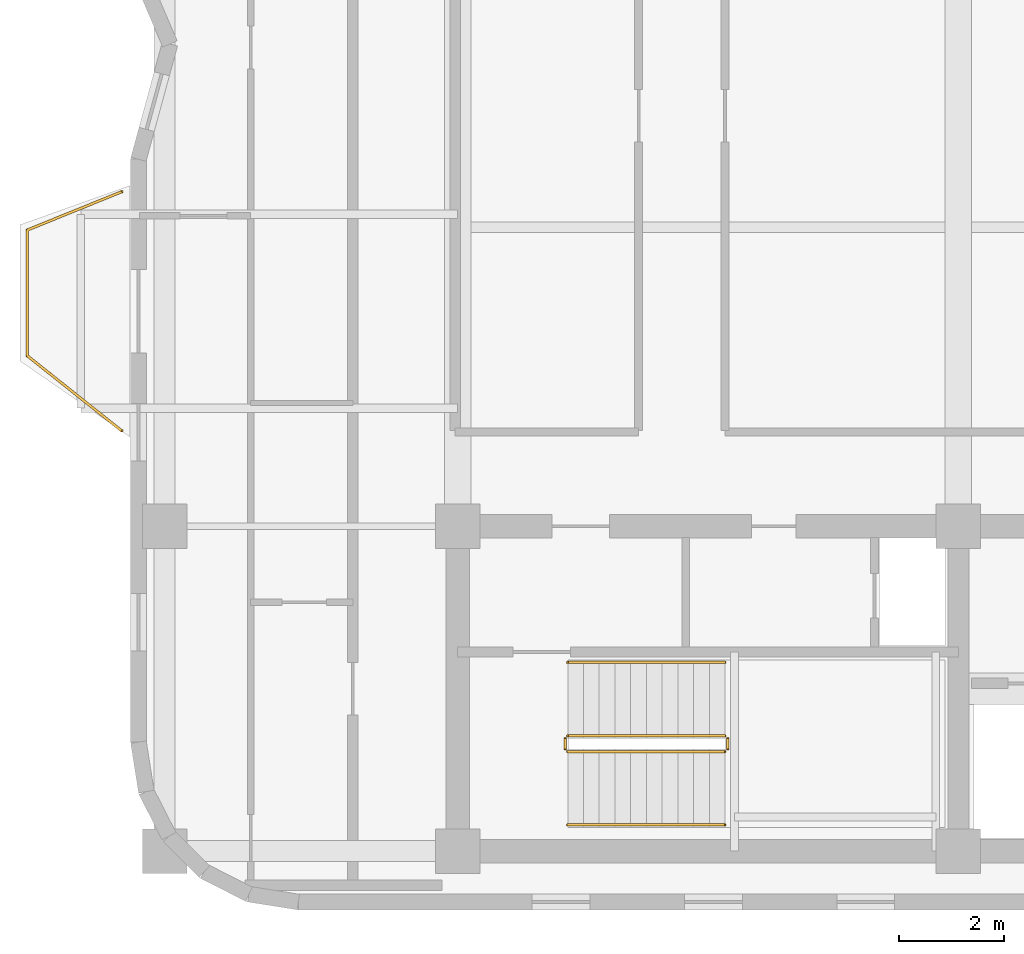
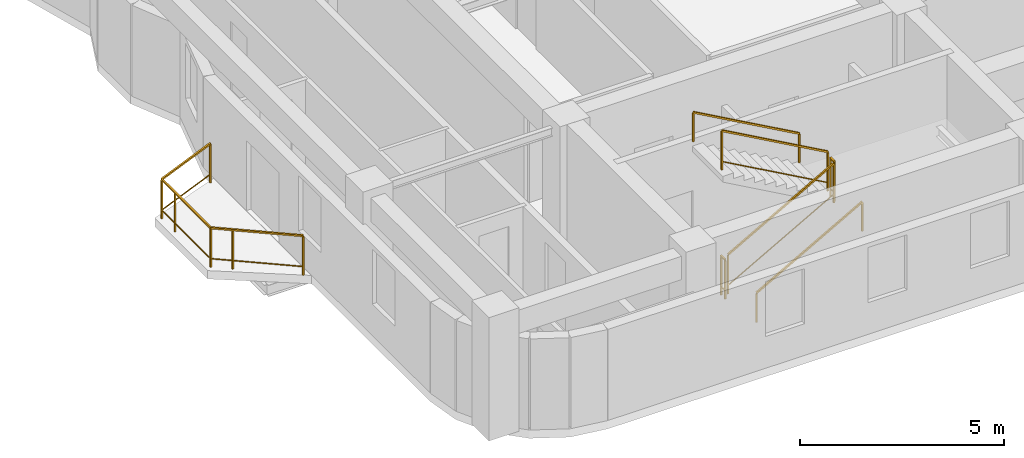
# One storey, part 7 of 8: 7 railings.
"""IFC4 building model written with IfcOpenShell, lengths in metres."""

from ifc_helpers import new_model, si_unit, direction, frame, origin, origin_2d, place, context, subcontext, project, spatial, rectangle, extrude, material, type_object, element, save


model = new_model("IFC4")

# Units and contexts
model_context = context("Model", 3, precision=1e-05, world=origin(), true_north=direction((0.0, 1.0)))
body_context = subcontext(model_context, "Body", "Model", "MODEL_VIEW")
ifc_project = project(units=[si_unit("LENGTHUNIT", "METRE"), si_unit("AREAUNIT", "SQUARE_METRE"), si_unit("VOLUMEUNIT", "CUBIC_METRE"), si_unit("PLANEANGLEUNIT", "RADIAN"), si_unit("MASSUNIT", "GRAM", prefix="KILO")], contexts=[model_context])

# Site, building, storey
site_placement = place(None, origin())
site = spatial("IfcSite", under=ifc_project, at=site_placement, CompositionType="ELEMENT")
building_placement = place(site_placement, origin())
building = spatial("IfcBuilding", under=site, at=building_placement, Name="Svetorya Sky Lyceum", CompositionType="ELEMENT")
storey_placement = place(building_placement, frame((0.0, 0.0, 251.699951171875)))
storey = spatial("IfcBuildingStorey", under=building, at=storey_placement, Name="L63", CompositionType="ELEMENT", Elevation=251.699951171875)

# Railings
ifc_material_1 = material(Name="Laminated safety glass and stainless AISI 316", Category="glass")
railing_type_1 = type_object("IfcRailingType", Name="RL-BAL-1200", PredefinedType="BALUSTRADE", material=ifc_material_1)
railing_1_placement = place(storey_placement, frame((19.18994140625, 18.6201171875, 0.0)))
element("IfcRailing", 1, at=railing_1_placement, inside=storey, type_object=railing_type_1, Name="L63 Balcony Balustrade BAL-W1", PredefinedType="BALUSTRADE", context=body_context, shape_type="SweptSolid", body=[
    extrude(rectangle(XDim=0.048095703125, YDim=0.048095703125, at=origin_2d()), frame((0.0, 0.0, 1.17578125), z_axis=(-0.783008919264, 0.622010476079, 0.0), x_axis=(-0.622010476079, -0.783008919264, 0.0)), (0.0, 0.0, 1.0), 2.298828125),
    extrude(rectangle(XDim=0.02392578125, YDim=0.02392578125, at=origin_2d()), frame((0.0, 0.0, 0.25), z_axis=(-0.783008919264, 0.622010476079, 0.0), x_axis=(-0.622010476079, -0.783008919264, 0.0)), (0.0, 0.0, 1.0), 2.298828125),
    extrude(rectangle(XDim=0.048095703125, YDim=0.048095703125, at=origin_2d()), frame((-1.800048828125, 1.429931640625, 1.17578125), z_axis=(0.0, 1.0, 0.0), x_axis=(-1.0, 0.0, 0.0)), (0.0, 0.0, 1.0), 2.39990234375),
    extrude(rectangle(XDim=0.02392578125, YDim=0.02392578125, at=origin_2d()), frame((-1.800048828125, 1.429931640625, 0.25), z_axis=(0.0, 1.0, 0.0), x_axis=(-1.0, 0.0, 0.0)), (0.0, 0.0, 1.0), 2.39990234375),
    extrude(rectangle(XDim=0.048095703125, YDim=0.048095703125, at=origin_2d()), frame((-1.800048828125, 3.829833984375, 1.17578125), z_axis=(0.926697865975, 0.375807218129, 0.0), x_axis=(-0.375807218129, 0.926697865975, 0.0)), (0.0, 0.0, 1.0), 1.9423828125),
    extrude(rectangle(XDim=0.02392578125, YDim=0.02392578125, at=origin_2d()), frame((-1.800048828125, 3.829833984375, 0.25), z_axis=(0.926697865975, 0.375807218129, 0.0), x_axis=(-0.375807218129, 0.926697865975, 0.0)), (0.0, 0.0, 1.0), 1.9423828125),
    extrude(rectangle(XDim=0.0419921875, YDim=0.0419921875, at=origin_2d()), origin(), (0.0, 0.0, 1.0), 1.15185546875),
    extrude(rectangle(XDim=0.0419921875, YDim=0.0419921875, at=origin_2d()), frame((-1.370361328125, 1.088623046875, 0.0)), (0.0, 0.0, 1.0), 1.15185546875),
    extrude(rectangle(XDim=0.0419921875, YDim=0.0419921875, at=origin_2d()), frame((-1.800048828125, 1.429931640625, 0.0)), (0.0, 0.0, 1.0), 1.15185546875),
    extrude(rectangle(XDim=0.0419921875, YDim=0.0419921875, at=origin_2d()), frame((-1.800048828125, 3.179931640625, 0.0)), (0.0, 0.0, 1.0), 1.15185546875),
    extrude(rectangle(XDim=0.0419921875, YDim=0.0419921875, at=origin_2d()), frame((-1.800048828125, 3.829833984375, 0.0)), (0.0, 0.0, 1.0), 1.15185546875),
    extrude(rectangle(XDim=0.0419921875, YDim=0.0419921875, at=origin_2d()), frame((0.0, 4.559814453125, 0.0)), (0.0, 0.0, 1.0), 1.15185546875),
])
ifc_material_2 = material(Name="Painted galvanized stair well guard")
railing_type_2 = type_object("IfcRailingType", Name="RL-STR-GUARD-1200", PredefinedType="GUARDRAIL", material=ifc_material_2)
railing_2_placement = place(storey_placement, frame((27.699951171875, 12.5, 0.168212890625)))
element("IfcRailing", 2, at=railing_2_placement, inside=storey, type_object=railing_type_2, Name="L63 ST-S stair guard 1", PredefinedType="GUARDRAIL", context=body_context, shape_type="SweptSolid", body=[
    extrude(rectangle(XDim=0.048095703125, YDim=0.048095703125, at=origin_2d()), frame((0.0, 0.0, 1.17578125), z_axis=(0.872272294576, 0.0, 0.489020494575), x_axis=(0.0, 1.0, 0.0)), (0.0, 0.0, 1.0), 3.439208984375),
    extrude(rectangle(XDim=0.02392578125, YDim=0.02392578125, at=origin_2d()), frame((0.0, 0.0, 0.25), z_axis=(0.872272294576, 0.0, 0.489020494575), x_axis=(0.0, 1.0, 0.0)), (0.0, 0.0, 1.0), 3.439208984375),
    extrude(rectangle(XDim=0.0419921875, YDim=0.0419921875, at=origin_2d()), origin(), (0.0, 0.0, 1.0), 1.15185546875),
    extrude(rectangle(XDim=0.0419921875, YDim=0.0419921875, at=origin_2d()), frame((3.0, 0.0, 1.681884765625)), (0.0, 0.0, 1.0), 1.15185546875),
])
railing_3_placement = place(storey_placement, frame((30.75, 12.550048828125, 1.85009765625)))
element("IfcRailing", 3, at=railing_3_placement, inside=storey, type_object=railing_type_2, Name="L63 ST-S stair guard 2", PredefinedType="GUARDRAIL", context=body_context, shape_type="SweptSolid", body=[
    extrude(rectangle(XDim=0.048095703125, YDim=0.048095703125, at=origin_2d()), frame((0.0, 0.0, 1.17578125), z_axis=(0.0, 1.0, 0.0), x_axis=(-1.0, 0.0, 0.0)), (0.0, 0.0, 1.0), 0.199951171875),
    extrude(rectangle(XDim=0.02392578125, YDim=0.02392578125, at=origin_2d()), frame((0.0, 0.0, 0.25), z_axis=(0.0, 1.0, 0.0), x_axis=(-1.0, 0.0, 0.0)), (0.0, 0.0, 1.0), 0.199951171875),
    extrude(rectangle(XDim=0.0419921875, YDim=0.0419921875, at=origin_2d()), origin(), (0.0, 0.0, 1.0), 1.15185546875),
    extrude(rectangle(XDim=0.0419921875, YDim=0.0419921875, at=origin_2d()), frame((0.0, 0.199951171875, 0.0)), (0.0, 0.0, 1.0), 1.15185546875),
])
railing_4_placement = place(storey_placement, frame((30.699951171875, 12.800048828125, 2.018310546875)))
element("IfcRailing", 4, at=railing_4_placement, inside=storey, type_object=railing_type_2, Name="L63 ST-S stair guard 3", PredefinedType="GUARDRAIL", context=body_context, shape_type="SweptSolid", body=[
    extrude(rectangle(XDim=0.048095703125, YDim=0.048095703125, at=origin_2d()), frame((0.0, 0.0, 1.17578125), z_axis=(-0.872302573547, 0.0, 0.488966481656), x_axis=(0.0, -1.0, 0.0)), (0.0, 0.0, 1.0), 3.439208984375),
    extrude(rectangle(XDim=0.02392578125, YDim=0.02392578125, at=origin_2d()), frame((0.0, 0.0, 0.25), z_axis=(-0.872302573547, 0.0, 0.488966481656), x_axis=(0.0, -1.0, 0.0)), (0.0, 0.0, 1.0), 3.439208984375),
    extrude(rectangle(XDim=0.0419921875, YDim=0.0419921875, at=origin_2d()), origin(), (0.0, 0.0, 1.0), 1.15185546875),
    extrude(rectangle(XDim=0.0419921875, YDim=0.0419921875, at=origin_2d()), frame((-3.0, 0.0, 1.681640625)), (0.0, 0.0, 1.0), 1.15185546875),
])
railing_5_placement = place(storey_placement, frame((27.64990234375, 12.550048828125, 0.0)))
element("IfcRailing", 5, at=railing_5_placement, inside=storey, type_object=railing_type_2, Name="L63 ST-S stair guard 4", PredefinedType="GUARDRAIL", context=body_context, shape_type="SweptSolid", body=[
    extrude(rectangle(XDim=0.048095703125, YDim=0.048095703125, at=origin_2d()), frame((0.0, 0.0, 1.17578125), z_axis=(0.0, 1.0, 0.0), x_axis=(-1.0, 0.0, 0.0)), (0.0, 0.0, 1.0), 0.199951171875),
    extrude(rectangle(XDim=0.02392578125, YDim=0.02392578125, at=origin_2d()), frame((0.0, 0.0, 0.25), z_axis=(0.0, 1.0, 0.0), x_axis=(-1.0, 0.0, 0.0)), (0.0, 0.0, 1.0), 0.199951171875),
    extrude(rectangle(XDim=0.0419921875, YDim=0.0419921875, at=origin_2d()), origin(), (0.0, 0.0, 1.0), 1.15185546875),
    extrude(rectangle(XDim=0.0419921875, YDim=0.0419921875, at=origin_2d()), frame((0.0, 0.199951171875, 0.0)), (0.0, 0.0, 1.0), 1.15185546875),
])
ifc_material_3 = material(Name="Brushed stainless AISI 304 stair handrail")
railing_type_3 = type_object("IfcRailingType", Name="RL-STR-HAND-920", PredefinedType="HANDRAIL", material=ifc_material_3)
railing_6_placement = place(storey_placement, frame((27.699951171875, 11.10009765625, 0.168212890625)))
element("IfcRailing", 6, at=railing_6_placement, inside=storey, type_object=railing_type_3, Name="L63 ST-S stair handrail 1", PredefinedType="HANDRAIL", context=body_context, shape_type="SweptSolid", body=[
    extrude(rectangle(XDim=0.048095703125, YDim=0.048095703125, at=origin_2d()), frame((0.0, 0.0, 0.8759765625), z_axis=(0.872272294576, 0.0, 0.489020494575), x_axis=(0.0, 1.0, 0.0)), (0.0, 0.0, 1.0), 3.439208984375),
    extrude(rectangle(XDim=0.0419921875, YDim=0.0419921875, at=origin_2d()), origin(), (0.0, 0.0, 1.0), 0.851806640625),
    extrude(rectangle(XDim=0.0419921875, YDim=0.0419921875, at=origin_2d()), frame((3.0, 0.0, 1.681884765625)), (0.0, 0.0, 1.0), 0.851806640625),
])
railing_7_placement = place(storey_placement, frame((30.699951171875, 14.199951171875, 2.018310546875)))
element("IfcRailing", 7, at=railing_7_placement, inside=storey, type_object=railing_type_3, Name="L63 ST-S stair handrail 2", PredefinedType="HANDRAIL", context=body_context, shape_type="SweptSolid", body=[
    extrude(rectangle(XDim=0.048095703125, YDim=0.048095703125, at=origin_2d()), frame((0.0, 0.0, 0.8759765625), z_axis=(-0.872302573547, 0.0, 0.488966481656), x_axis=(0.0, -1.0, 0.0)), (0.0, 0.0, 1.0), 3.439208984375),
    extrude(rectangle(XDim=0.0419921875, YDim=0.0419921875, at=origin_2d()), origin(), (0.0, 0.0, 1.0), 0.851806640625),
    extrude(rectangle(XDim=0.0419921875, YDim=0.0419921875, at=origin_2d()), frame((-3.0, 0.0, 1.681640625)), (0.0, 0.0, 1.0), 0.851806640625),
])

save(model, "model.ifc")
